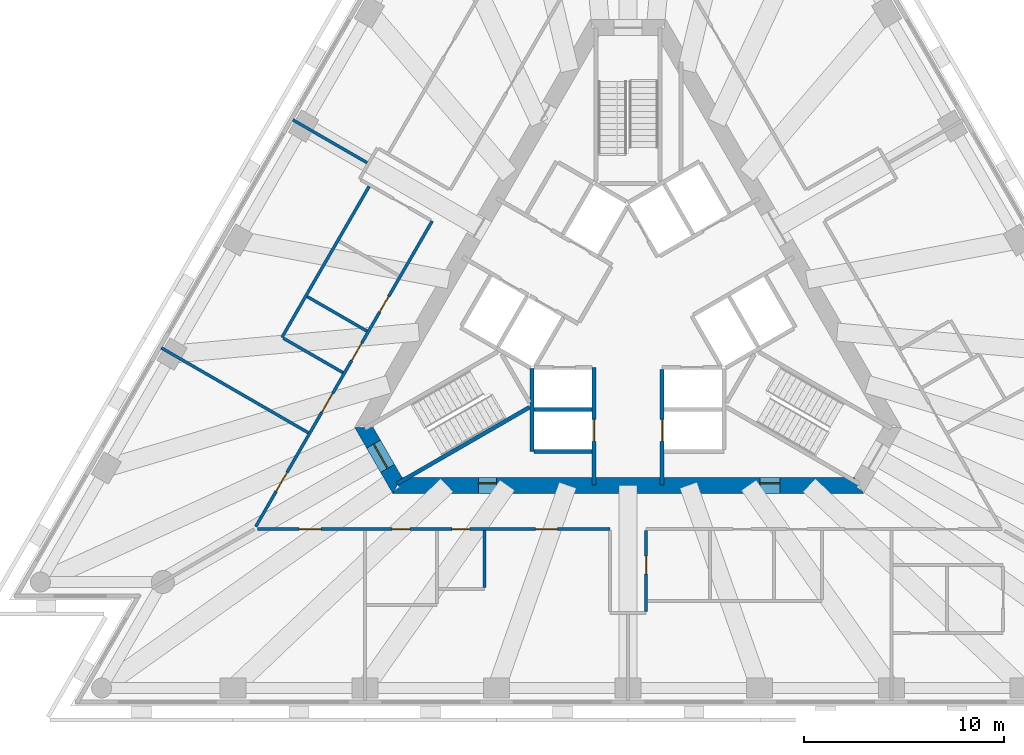
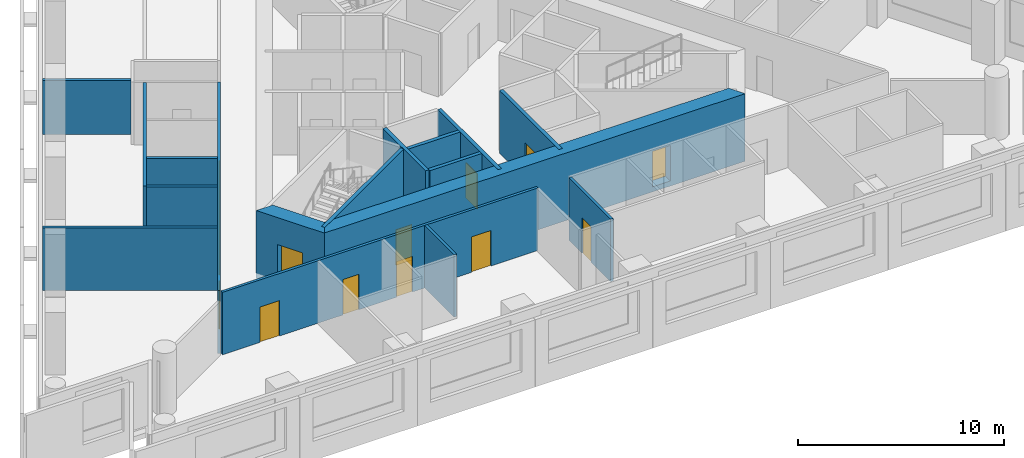
# One storey, part 3 of 10: 17 walls, 14 doors, 14 openings.
"""IFC4 building model written with IfcOpenShell, lengths in metres."""

from ifc_helpers import new_model, si_unit, direction, frame, frame_2d, origin, place, context, subcontext, project, spatial, polyline, rectangle, outline, extrude, material, layer, layer_set, type_object, element, fill, save


model = new_model("IFC4")

# Units and contexts
model_context = context("Model", 3, precision=1e-05, world=origin(), true_north=direction((0.0, 1.0)))
body_context = subcontext(model_context, "Body", "Model", "MODEL_VIEW")
ifc_project = project(units=[si_unit("LENGTHUNIT", "METRE"), si_unit("AREAUNIT", "SQUARE_METRE"), si_unit("VOLUMEUNIT", "CUBIC_METRE"), si_unit("PLANEANGLEUNIT", "RADIAN"), si_unit("MASSUNIT", "GRAM", prefix="KILO")], contexts=[model_context])

# Site, building, storey
site_placement = place(None, origin())
site = spatial("IfcSite", under=ifc_project, at=site_placement, CompositionType="ELEMENT")
building_placement = place(site_placement, origin())
building = spatial("IfcBuilding", under=site, at=building_placement, Name="Triada Interchange Tower", CompositionType="ELEMENT")
storey_placement = place(building_placement, frame((0.0, 0.0, 156.300048828125)))
storey = spatial("IfcBuildingStorey", under=building, at=storey_placement, Name="L36", CompositionType="ELEMENT", Elevation=156.300048828125)

# Walls
ifc_material_1 = material(Name="Concrete C30/37", Category="concrete")
ifc_layer_1 = layer(ifc_material_1, 0.199951171875)
ifc_layer_set_1 = layer_set([ifc_layer_1], Name="CORE WALL 200 EI 120")
wall_type_1 = type_object("IfcWallType", Name="CORE WALL 200 EI 120", PredefinedType="SOLIDWALL", material=ifc_layer_set_1)
wall_1_placement = place(storey_placement, frame((-4.800048828125, -6.89990234375, 0.0), z_axis=(0.0, 0.0, 1.0), x_axis=(0.0, 1.0, 0.0)))
element("IfcWall", 1, at=wall_1_placement, inside=storey, type_object=wall_type_1, Name="Wall L35 53", PredefinedType="SOLIDWALL", context=body_context, shape_type="SweptSolid", body=[
    extrude(rectangle(XDim=4.130859375, YDim=0.199951171875, at=frame_2d((2.0654296875, 0.0))), origin(), (0.0, 0.0, 1.0), 3.699951171875),
])
for number, where, z_axis, x_axis, name in (
    (2, (-4.699951171875, -6.89990234375, 0.0), (0.0, 0.0, 1.0), (1.0, 0.0, 0.0), "Wall L35 54"),
    (3, (-4.699951171875, -4.800048828125, 0.0), (0.0, 0.0, 1.0), (1.0, 0.0, 0.0), "Wall L35 56"),
):
    element("IfcWall", number, at=place(storey_placement, frame(where, z_axis=z_axis, x_axis=x_axis)), inside=storey, type_object=wall_type_1, Name=name, PredefinedType="SOLIDWALL", context=body_context, shape_type="SweptSolid", body=[
        extrude(rectangle(XDim=2.89990234375, YDim=0.199951171875, at=frame_2d((1.449951171875, 0.0))), origin(), (0.0, 0.0, 1.0), 3.699951171875),
    ])

# Wall, opening, door
wall_2_placement = place(storey_placement, frame((-1.699951171875, -8.580078125, 0.0), z_axis=(0.0, 0.0, 1.0), x_axis=(0.0, 1.0, 0.0)))
wall_2 = element("IfcWall", 4, at=wall_2_placement, inside=storey, type_object=wall_type_1, Name="Wall L35 58", PredefinedType="SOLIDWALL", context=body_context, shape_type="SweptSolid", body=[
    extrude(rectangle(XDim=5.877197265625, YDim=0.199951171875, at=frame_2d((2.9384765625, 0.0))), origin(), (0.0, 0.0, 1.0), 3.699951171875),
])
opening_1_placement = place(wall_2_placement, frame((2.179931640625, 0.0, 0.0)))
opening_1 = element("IfcOpeningElement", 5, at=opening_1_placement, cuts=wall_2, Name="Opening LD-LR4", PredefinedType="OPENING", context=body_context, shape_type="SweptSolid", body=[
    extrude(rectangle(XDim=1.10009765625, YDim=2.10009765625, at=frame_2d((0.550048828125, 1.050048828125))), frame((0.0, 0.10986328125, 0.0), z_axis=(0.0, -1.0, 0.0), x_axis=(1.0, 0.0, 0.0)), (0.0, 0.0, 1.0), 0.219970703125),
])
ifc_material_2 = material(Name="Steel S235 door leaf", Category="steel")
door_type_1 = type_object("IfcDoorType", Name="LIFT LANDING DOOR 1100 EI 120", OperationType="SLIDING_TO_LEFT", PredefinedType="DOOR", material=ifc_material_2)
door_1_placement = place(opening_1_placement, origin())
door_1 = element("IfcDoor", 6, at=door_1_placement, inside=storey, type_object=door_type_1, Name="LR4 landing door L36", OperationType="SLIDING_TO_LEFT", OverallHeight=2.10009765625, OverallWidth=1.10009765625, PredefinedType="DOOR", context=body_context, shape_type="SweptSolid", body=[
    extrude(rectangle(XDim=1.10009765625, YDim=2.10009765625, at=frame_2d((0.550048828125, 1.050048828125))), frame((0.0, 0.02490234375, 0.0), z_axis=(0.0, -1.0, 0.0), x_axis=(1.0, 0.0, 0.0)), (0.0, 0.0, 1.0), 0.050048828125),
])
fill(opening_1, door_1)

wall_3_placement = place(storey_placement, frame((1.699951171875, -8.580078125, 0.0), z_axis=(0.0, 0.0, 1.0), x_axis=(0.0, 1.0, 0.0)))
wall_3 = element("IfcWall", 7, at=wall_3_placement, inside=storey, type_object=wall_type_1, Name="Wall L35 65", PredefinedType="SOLIDWALL", context=body_context, shape_type="SweptSolid", body=[
    extrude(rectangle(XDim=5.777099609375, YDim=0.199951171875, at=frame_2d((2.888671875, 0.0))), origin(), (0.0, 0.0, 1.0), 3.699951171875),
])
opening_2_placement = place(wall_3_placement, frame((2.179931640625, 0.0, 0.0)))
opening_2 = element("IfcOpeningElement", 8, at=opening_2_placement, cuts=wall_3, Name="Opening LD-LR2", PredefinedType="OPENING", context=body_context, shape_type="SweptSolid", body=[
    extrude(rectangle(XDim=1.10009765625, YDim=2.10009765625, at=frame_2d((0.550048828125, 1.050048828125))), frame((0.0, 0.10986328125, 0.0), z_axis=(0.0, -1.0, 0.0), x_axis=(1.0, 0.0, 0.0)), (0.0, 0.0, 1.0), 0.219970703125),
])
door_2_placement = place(opening_2_placement, origin())
door_2 = element("IfcDoor", 9, at=door_2_placement, inside=storey, type_object=door_type_1, Name="LR2 landing door L36", OperationType="SLIDING_TO_LEFT", OverallHeight=2.10009765625, OverallWidth=1.10009765625, PredefinedType="DOOR", context=body_context, shape_type="SweptSolid", body=[
    extrude(rectangle(XDim=1.10009765625, YDim=2.10009765625, at=frame_2d((0.550048828125, 1.050048828125))), frame((0.0, 0.02490234375, 0.0), z_axis=(0.0, -1.0, 0.0), x_axis=(1.0, 0.0, 0.0)), (0.0, 0.0, 1.0), 0.050048828125),
])
fill(opening_2, door_2)

# Wall
ifc_layer_2 = layer(ifc_material_1, 0.199951171875)
ifc_layer_set_2 = layer_set([ifc_layer_2], Name="CORE WALL 200 REI 240")
wall_type_2 = type_object("IfcWallType", Name="CORE WALL 200 REI 240", PredefinedType="SOLIDWALL", material=ifc_layer_set_2)
wall_4_placement = place(storey_placement, frame((-11.56689453125, -8.52587890625, 0.0), z_axis=(0.0, 0.0, 1.0), x_axis=(0.866005769735, 0.50003400563, 0.0)))
element("IfcWall", 10, at=wall_4_placement, inside=storey, type_object=wall_type_2, Name="Wall L35 91", PredefinedType="SOLIDWALL", context=body_context, shape_type="SweptSolid", body=[
    extrude(rectangle(XDim=7.6650390625, YDim=0.199951171875, at=frame_2d((3.83251953125, 0.0))), origin(), (0.0, 0.0, 1.0), 3.699951171875),
])

# Wall, opening, door
ifc_material_3 = material(Name="Concrete C60/75", Category="concrete")
ifc_layer_3 = layer(ifc_material_3, 0.800048828125)
ifc_layer_set_3 = layer_set([ifc_layer_3], Name="Core wall B 800")
wall_type_3 = type_object("IfcWallType", Name="Core wall B 800", PredefinedType="SHEAR", material=ifc_layer_set_3)
wall_5_placement = place(storey_placement, frame((-13.220947265625, -5.699951171875, -0.300048828125), z_axis=(0.0, 0.0, 1.0), x_axis=(0.49987182685, -0.866099391942, 0.0)))
wall_5 = element("IfcWall", 11, at=wall_5_placement, inside=storey, type_object=wall_type_3, Name="Core wall WB03 L36", PredefinedType="SHEAR", context=body_context, shape_type="SweptSolid", body=[
    extrude(outline(polyline([(-0.23095703125, -0.39990234375), (1.674072265625, -0.39990234375), (3.5791015625, -0.39990234375), (3.117919921875, 0.39990234375), (1.67431640625, 0.39990234375), (0.23095703125, 0.39990234375), (-0.23095703125, -0.39990234375)])), origin(), (0.0, 0.0, 1.0), 4.0),
])
opening_3_placement = place(wall_5_placement, frame((0.97412109375, 0.0, 0.300048828125)))
opening_3 = element("IfcOpeningElement", 12, at=opening_3_placement, cuts=wall_5, Name="Opening D35-38", PredefinedType="OPENING", context=body_context, shape_type="SweptSolid", body=[
    extrude(rectangle(XDim=1.39990234375, YDim=2.10009765625, at=frame_2d((0.699951171875, 1.050048828125))), frame((0.0, 0.409912109375, 0.0), z_axis=(0.0, -1.0, 0.0), x_axis=(1.0, 0.0, 0.0)), (0.0, 0.0, 1.0), 0.820068359375),
])
door_type_2 = type_object("IfcDoorType", Name="STAIR DOOR 1400 EI2 90-C5S200", OperationType="DOUBLE_DOOR_SINGLE_SWING", PredefinedType="DOOR", material=ifc_material_2)
door_3_placement = place(opening_3_placement, origin())
door_3 = element("IfcDoor", 13, at=door_3_placement, inside=storey, type_object=door_type_2, Name="Door D35-38 L36", OperationType="DOUBLE_DOOR_SINGLE_SWING", OverallHeight=2.10009765625, OverallWidth=1.39990234375, PredefinedType="DOOR", context=body_context, shape_type="SweptSolid", body=[
    extrude(rectangle(XDim=1.39990234375, YDim=2.10009765625, at=frame_2d((0.699951171875, 1.050048828125))), frame((0.0, 0.02490234375, 0.0), z_axis=(0.0, -1.0, 0.0), x_axis=(1.0, 0.0, 0.0)), (0.0, 0.0, 1.0), 0.050048828125),
])
fill(opening_3, door_3)

# Wall, openings, doors
wall_6_placement = place(storey_placement, frame((-11.547119140625, -8.60009765625, -0.300048828125), z_axis=(0.0, 0.0, 1.0), x_axis=(1.0, 0.0, 0.0)))
wall_6 = element("IfcWall", 14, at=wall_6_placement, inside=storey, type_object=wall_type_3, Name="Core wall WB04 L36", PredefinedType="SHEAR", context=body_context, shape_type="SweptSolid", body=[
    extrude(outline(polyline([(-0.23095703125, -0.39990234375), (1.73193359375, -0.39990234375), (3.695068359375, -0.39990234375), (5.657958984375, -0.39990234375), (7.62109375, -0.39990234375), (9.583984375, -0.39990234375), (11.546875, -0.39990234375), (13.510009765625, -0.39990234375), (15.472900390625, -0.39990234375), (17.43603515625, -0.39990234375), (19.39892578125, -0.39990234375), (21.362060546875, -0.39990234375), (23.324951171875, -0.39990234375), (22.863037109375, 0.39990234375), (20.97705078125, 0.39990234375), (19.091064453125, 0.39990234375), (17.205078125, 0.39990234375), (15.319091796875, 0.39990234375), (13.43310546875, 0.39990234375), (11.546875, 0.39990234375), (9.660888671875, 0.39990234375), (7.77490234375, 0.39990234375), (5.888916015625, 0.39990234375), (4.0029296875, 0.39990234375), (2.116943359375, 0.39990234375), (0.23095703125, 0.39990234375), (-0.23095703125, -0.39990234375)])), origin(), (0.0, 0.0, 1.0), 4.0),
])
opening_4_placement = place(wall_6_placement, frame((4.06103515625, 0.0, 0.300048828125)))
opening_4 = element("IfcOpeningElement", 15, at=opening_4_placement, cuts=wall_6, Name="Opening D35-41", PredefinedType="OPENING", context=body_context, shape_type="SweptSolid", body=[
    extrude(rectangle(XDim=0.89990234375, YDim=2.10009765625, at=frame_2d((0.449951171875, 1.050048828125))), frame((0.0, 0.409912109375, 0.0), z_axis=(0.0, -1.0, 0.0), x_axis=(1.0, 0.0, 0.0)), (0.0, 0.0, 1.0), 0.820068359375),
])
opening_5_placement = place(wall_6_placement, frame((18.14306640625, 0.0, 0.300048828125)))
opening_5 = element("IfcOpeningElement", 16, at=opening_5_placement, cuts=wall_6, Name="Opening D35-43", PredefinedType="OPENING", context=body_context, shape_type="SweptSolid", body=[
    extrude(rectangle(XDim=1.0, YDim=2.10009765625, at=frame_2d((0.5, 1.050048828125))), frame((0.0, 0.409912109375, 0.0), z_axis=(0.0, -1.0, 0.0), x_axis=(1.0, 0.0, 0.0)), (0.0, 0.0, 1.0), 0.820068359375),
])
door_type_3 = type_object("IfcDoorType", Name="SERVICE DOOR 1000 EI2 45-C5S200", OperationType="NOTDEFINED", PredefinedType="DOOR", material=ifc_material_2)
door_4_placement = place(opening_5_placement, origin())
door_4 = element("IfcDoor", 17, at=door_4_placement, inside=storey, type_object=door_type_3, Name="Door D35-43 L36", OperationType="SINGLE_SWING_LEFT", OverallHeight=2.10009765625, OverallWidth=1.0, PredefinedType="DOOR", context=body_context, shape_type="SweptSolid", body=[
    extrude(rectangle(XDim=1.0, YDim=2.10009765625, at=frame_2d((0.5, 1.050048828125))), frame((0.0, 0.125, 0.0), z_axis=(0.0, -1.0, 0.0), x_axis=(1.0, 0.0, 0.0)), (0.0, 0.0, 1.0), 0.050048828125),
])
fill(opening_5, door_4)
door_type_4 = type_object("IfcDoorType", Name="SERVICE DOOR 900 EI2 45-C5S200", OperationType="NOTDEFINED", PredefinedType="DOOR", material=ifc_material_2)
door_5_placement = place(opening_4_placement, origin())
door_5 = element("IfcDoor", 18, at=door_5_placement, inside=storey, type_object=door_type_4, Name="Door D35-41 L36", OperationType="SINGLE_SWING_LEFT", OverallHeight=2.10009765625, OverallWidth=0.89990234375, PredefinedType="DOOR", context=body_context, shape_type="SweptSolid", body=[
    extrude(rectangle(XDim=0.89990234375, YDim=2.10009765625, at=frame_2d((0.449951171875, 1.050048828125))), frame((0.0, 0.125, 0.0), z_axis=(0.0, -1.0, 0.0), x_axis=(1.0, 0.0, 0.0)), (0.0, 0.0, 1.0), 0.050048828125),
])
fill(opening_4, door_5)

# Wall
ifc_material_4 = material(Name="Gypsum board partition")
ifc_layer_4 = layer(ifc_material_4, 0.14990234375)
ifc_layer_set_4 = layer_set([ifc_layer_4], Name="PARTITION 150 EI 180")
wall_type_4 = type_object("IfcWallType", Name="PARTITION 150 EI 180", PredefinedType="PARTITIONING", material=ifc_layer_set_4)
wall_7_placement = place(storey_placement, frame((-23.35693359375, -1.72509765625, 0.0), z_axis=(0.0, 0.0, 1.0), x_axis=(0.866045766046, -0.49996472987, 0.0)))
element("IfcWall", 19, at=wall_7_placement, inside=storey, type_object=wall_type_4, Name="Wall L35 3", PredefinedType="PARTITIONING", context=body_context, shape_type="SweptSolid", body=[
    extrude(rectangle(XDim=8.490234375, YDim=0.14990234375, at=frame_2d((4.2451171875, 0.0))), origin(), (0.0, 0.0, 1.0), 3.699951171875),
])

# Wall, openings, doors
wall_8_placement = place(storey_placement, frame((-18.555908203125, -10.800048828125, 0.0), z_axis=(0.0, 0.0, 1.0), x_axis=(1.0, 0.0, 0.0)))
wall_8 = element("IfcWall", 20, at=wall_8_placement, inside=storey, type_object=wall_type_4, Name="Wall L35 4", PredefinedType="PARTITIONING", context=body_context, shape_type="SweptSolid", body=[
    extrude(rectangle(XDim=17.655029296875, YDim=0.14990234375, at=frame_2d((8.82763671875, 0.0))), origin(), (0.0, 0.0, 1.0), 3.699951171875),
])
opening_6_placement = place(wall_8_placement, frame((2.10009765625, 0.0, 0.0)))
opening_6 = element("IfcOpeningElement", 21, at=opening_6_placement, cuts=wall_8, Name="Opening D35-11", PredefinedType="OPENING", context=body_context, shape_type="SweptSolid", body=[
    extrude(rectangle(XDim=1.10009765625, YDim=2.10009765625, at=frame_2d((0.550048828125, 1.050048828125))), frame((0.0, 0.0849609375, 0.0), z_axis=(0.0, -1.0, 0.0), x_axis=(1.0, 0.0, 0.0)), (0.0, 0.0, 1.0), 0.169921875),
])
opening_7_placement = place(wall_8_placement, frame((13.93408203125, 0.0, 0.0)))
opening_7 = element("IfcOpeningElement", 22, at=opening_7_placement, cuts=wall_8, Name="Opening D35-12", PredefinedType="OPENING", context=body_context, shape_type="SweptSolid", body=[
    extrude(rectangle(XDim=1.10009765625, YDim=2.10009765625, at=frame_2d((0.550048828125, 1.050048828125))), frame((0.0, 0.0849609375, 0.0), z_axis=(0.0, -1.0, 0.0), x_axis=(1.0, 0.0, 0.0)), (0.0, 0.0, 1.0), 0.169921875),
])
opening_8_placement = place(wall_8_placement, frame((6.73388671875, 0.0, 0.0)))
opening_8 = element("IfcOpeningElement", 23, at=opening_8_placement, cuts=wall_8, Name="Opening D35-13", PredefinedType="OPENING", context=body_context, shape_type="SweptSolid", body=[
    extrude(rectangle(XDim=0.89990234375, YDim=2.10009765625, at=frame_2d((0.449951171875, 1.050048828125))), frame((0.0, 0.0849609375, 0.0), z_axis=(0.0, -1.0, 0.0), x_axis=(1.0, 0.0, 0.0)), (0.0, 0.0, 1.0), 0.169921875),
])
opening_9_placement = place(wall_8_placement, frame((9.73388671875, 0.0, 0.0)))
opening_9 = element("IfcOpeningElement", 24, at=opening_9_placement, cuts=wall_8, Name="Opening D35-14", PredefinedType="OPENING", context=body_context, shape_type="SweptSolid", body=[
    extrude(rectangle(XDim=0.89990234375, YDim=2.10009765625, at=frame_2d((0.449951171875, 1.050048828125))), frame((0.0, 0.0849609375, 0.0), z_axis=(0.0, -1.0, 0.0), x_axis=(1.0, 0.0, 0.0)), (0.0, 0.0, 1.0), 0.169921875),
])
door_type_5 = type_object("IfcDoorType", Name="ROOM DOOR 900 EI2 90-C5S200", OperationType="NOTDEFINED", PredefinedType="DOOR", material=ifc_material_2)
door_6_placement = place(opening_8_placement, origin())
door_6 = element("IfcDoor", 25, at=door_6_placement, inside=storey, type_object=door_type_5, Name="Door D35-13 L36", OperationType="SINGLE_SWING_RIGHT", OverallHeight=2.10009765625, OverallWidth=0.89990234375, PredefinedType="DOOR", context=body_context, shape_type="SweptSolid", body=[
    extrude(rectangle(XDim=0.89990234375, YDim=2.10009765625, at=frame_2d((0.449951171875, 1.050048828125))), frame((0.0, 0.02490234375, 0.0), z_axis=(0.0, -1.0, 0.0), x_axis=(1.0, 0.0, 0.0)), (0.0, 0.0, 1.0), 0.050048828125),
])
fill(opening_8, door_6)
door_7_placement = place(opening_9_placement, origin())
door_7 = element("IfcDoor", 26, at=door_7_placement, inside=storey, type_object=door_type_5, Name="Door D35-14 L36", OperationType="SINGLE_SWING_RIGHT", OverallHeight=2.10009765625, OverallWidth=0.89990234375, PredefinedType="DOOR", context=body_context, shape_type="SweptSolid", body=[
    extrude(rectangle(XDim=0.89990234375, YDim=2.10009765625, at=frame_2d((0.449951171875, 1.050048828125))), frame((0.0, 0.02490234375, 0.0), z_axis=(0.0, -1.0, 0.0), x_axis=(1.0, 0.0, 0.0)), (0.0, 0.0, 1.0), 0.050048828125),
])
fill(opening_9, door_7)
door_type_6 = type_object("IfcDoorType", Name="TENANCY ENTRANCE DOOR 1100 EI2 90-C5S200", OperationType="NOTDEFINED", PredefinedType="DOOR", material=ifc_material_2)
door_8_placement = place(opening_6_placement, origin())
door_8 = element("IfcDoor", 27, at=door_8_placement, inside=storey, type_object=door_type_6, Name="Door D35-11 L36", OperationType="SINGLE_SWING_RIGHT", OverallHeight=2.10009765625, OverallWidth=1.10009765625, PredefinedType="DOOR", context=body_context, shape_type="SweptSolid", body=[
    extrude(rectangle(XDim=1.10009765625, YDim=2.10009765625, at=frame_2d((0.550048828125, 1.050048828125))), frame((0.0, 0.02490234375, 0.0), z_axis=(0.0, -1.0, 0.0), x_axis=(1.0, 0.0, 0.0)), (0.0, 0.0, 1.0), 0.050048828125),
])
fill(opening_6, door_8)
door_9_placement = place(opening_7_placement, origin())
door_9 = element("IfcDoor", 28, at=door_9_placement, inside=storey, type_object=door_type_6, Name="Door D35-12 L36", OperationType="SINGLE_SWING_LEFT", OverallHeight=2.10009765625, OverallWidth=1.10009765625, PredefinedType="DOOR", context=body_context, shape_type="SweptSolid", body=[
    extrude(rectangle(XDim=1.10009765625, YDim=2.10009765625, at=frame_2d((0.550048828125, 1.050048828125))), frame((0.0, 0.02490234375, 0.0), z_axis=(0.0, -1.0, 0.0), x_axis=(1.0, 0.0, 0.0)), (0.0, 0.0, 1.0), 0.050048828125),
])
fill(opening_7, door_9)

wall_9_placement = place(storey_placement, frame((-18.631103515625, -10.669921875, 0.0), z_axis=(0.0, 0.0, 1.0), x_axis=(0.500017706633, 0.866015180614, 0.0)))
wall_9 = element("IfcWall", 29, at=wall_9_placement, inside=storey, type_object=wall_type_4, Name="Wall L35 6", PredefinedType="PARTITIONING", context=body_context, shape_type="SweptSolid", body=[
    extrude(rectangle(XDim=17.655517578125, YDim=0.14990234375, at=frame_2d((8.82763671875, 0.0))), origin(), (0.0, 0.0, 1.0), 3.699951171875),
])
opening_10_placement = place(wall_9_placement, frame((6.60595703125, 0.0, 0.0)))
opening_10 = element("IfcOpeningElement", 30, at=opening_10_placement, cuts=wall_9, Name="Opening D35-31", PredefinedType="OPENING", context=body_context, shape_type="SweptSolid", body=[
    extrude(rectangle(XDim=1.10009765625, YDim=2.10009765625, at=frame_2d((0.550048828125, 1.050048828125))), frame((0.0, 0.0849609375, 0.0), z_axis=(0.0, -1.0, 0.0), x_axis=(1.0, 0.0, 0.0)), (0.0, 0.0, 1.0), 0.169921875),
])
opening_11_placement = place(wall_9_placement, frame((12.406005859375, 0.0, 0.0)))
opening_11 = element("IfcOpeningElement", 31, at=opening_11_placement, cuts=wall_9, Name="Opening D35-33", PredefinedType="OPENING", context=body_context, shape_type="SweptSolid", body=[
    extrude(rectangle(XDim=0.89990234375, YDim=2.10009765625, at=frame_2d((0.449951171875, 1.050048828125))), frame((0.0, 0.0849609375, 0.0), z_axis=(0.0, -1.0, 0.0), x_axis=(1.0, 0.0, 0.0)), (0.0, 0.0, 1.0), 0.169921875),
])
opening_12_placement = place(wall_9_placement, frame((9.60595703125, 0.0, 0.0)))
opening_12 = element("IfcOpeningElement", 32, at=opening_12_placement, cuts=wall_9, Name="Opening D35-34", PredefinedType="OPENING", context=body_context, shape_type="SweptSolid", body=[
    extrude(rectangle(XDim=1.0, YDim=2.10009765625, at=frame_2d((0.5, 1.050048828125))), frame((0.0, 0.0849609375, 0.0), z_axis=(0.0, -1.0, 0.0), x_axis=(1.0, 0.0, 0.0)), (0.0, 0.0, 1.0), 0.169921875),
])
opening_13_placement = place(wall_9_placement, frame((2.033935546875, 0.0, 0.0)))
opening_13 = element("IfcOpeningElement", 33, at=opening_13_placement, cuts=wall_9, Name="Opening D35-35", PredefinedType="OPENING", context=body_context, shape_type="SweptSolid", body=[
    extrude(rectangle(XDim=1.10009765625, YDim=2.10009765625, at=frame_2d((0.550048828125, 1.050048828125))), frame((0.0, 0.0849609375, 0.0), z_axis=(0.0, -1.0, 0.0), x_axis=(1.0, 0.0, 0.0)), (0.0, 0.0, 1.0), 0.169921875),
])
door_type_7 = type_object("IfcDoorType", Name="ROOM DOOR 1000 EI2 90-C5S200", OperationType="NOTDEFINED", PredefinedType="DOOR", material=ifc_material_2)
door_10_placement = place(opening_12_placement, origin())
door_10 = element("IfcDoor", 34, at=door_10_placement, inside=storey, type_object=door_type_7, Name="Door D35-34 L36", OperationType="SINGLE_SWING_LEFT", OverallHeight=2.10009765625, OverallWidth=1.0, PredefinedType="DOOR", context=body_context, shape_type="SweptSolid", body=[
    extrude(rectangle(XDim=1.0, YDim=2.10009765625, at=frame_2d((0.5, 1.050048828125))), frame((0.0, 0.02490234375, 0.0), z_axis=(0.0, -1.0, 0.0), x_axis=(1.0, 0.0, 0.0)), (0.0, 0.0, 1.0), 0.050048828125),
])
fill(opening_12, door_10)
door_11_placement = place(opening_11_placement, origin())
door_11 = element("IfcDoor", 35, at=door_11_placement, inside=storey, type_object=door_type_5, Name="Door D35-33 L36", OperationType="SINGLE_SWING_RIGHT", OverallHeight=2.10009765625, OverallWidth=0.89990234375, PredefinedType="DOOR", context=body_context, shape_type="SweptSolid", body=[
    extrude(rectangle(XDim=0.89990234375, YDim=2.10009765625, at=frame_2d((0.449951171875, 1.050048828125))), frame((0.0, 0.02490234375, 0.0), z_axis=(0.0, -1.0, 0.0), x_axis=(1.0, 0.0, 0.0)), (0.0, 0.0, 1.0), 0.050048828125),
])
fill(opening_11, door_11)
door_12_placement = place(opening_10_placement, origin())
door_12 = element("IfcDoor", 36, at=door_12_placement, inside=storey, type_object=door_type_6, Name="Door D35-31 L36", OperationType="SINGLE_SWING_LEFT", OverallHeight=2.10009765625, OverallWidth=1.10009765625, PredefinedType="DOOR", context=body_context, shape_type="SweptSolid", body=[
    extrude(rectangle(XDim=1.10009765625, YDim=2.10009765625, at=frame_2d((0.550048828125, 1.050048828125))), frame((0.0, 0.02490234375, 0.0), z_axis=(0.0, -1.0, 0.0), x_axis=(1.0, 0.0, 0.0)), (0.0, 0.0, 1.0), 0.050048828125),
])
fill(opening_10, door_12)
door_13_placement = place(opening_13_placement, origin())
door_13 = element("IfcDoor", 37, at=door_13_placement, inside=storey, type_object=door_type_6, Name="Door D35-35 L36", OperationType="SINGLE_SWING_LEFT", OverallHeight=2.10009765625, OverallWidth=1.10009765625, PredefinedType="DOOR", context=body_context, shape_type="SweptSolid", body=[
    extrude(rectangle(XDim=1.10009765625, YDim=2.10009765625, at=frame_2d((0.550048828125, 1.050048828125))), frame((0.0, 0.02490234375, 0.0), z_axis=(0.0, -1.0, 0.0), x_axis=(1.0, 0.0, 0.0)), (0.0, 0.0, 1.0), 0.050048828125),
])
fill(opening_13, door_13)

# Walls
wall_10_placement = place(storey_placement, frame((-16.77099609375, 9.68310546875, 0.0), z_axis=(0.0, 0.0, 1.0), x_axis=(0.866070942811, -0.499921115796, 0.0)))
element("IfcWall", 38, at=wall_10_placement, inside=storey, type_object=wall_type_4, Name="Wall L35 8", PredefinedType="PARTITIONING", context=body_context, shape_type="SweptSolid", body=[
    extrude(rectangle(XDim=4.290771484375, YDim=0.14990234375, at=frame_2d((2.1455078125, 0.0))), origin(), (0.0, 0.0, 1.0), 3.199951171875),
])
wall_11_placement = place(storey_placement, frame((-17.321044921875, -1.199951171875, 0.0), z_axis=(0.0, 0.0, 1.0), x_axis=(0.500054279689, 0.865994063124, 0.0)))
element("IfcWall", 39, at=wall_11_placement, inside=storey, type_object=wall_type_4, Name="Wall L35 10", PredefinedType="PARTITIONING", context=body_context, shape_type="SweptSolid", body=[
    extrude(rectangle(XDim=8.72509765625, YDim=0.14990234375, at=frame_2d((4.362548828125, 0.0))), origin(), (0.0, 0.0, 1.0), 3.699951171875),
])
wall_12_placement = place(storey_placement, frame((-17.256103515625, -1.238037109375, 0.0), z_axis=(0.0, 0.0, 1.0), x_axis=(0.866061862632, -0.499936846106, 0.0)))
element("IfcWall", 40, at=wall_12_placement, inside=storey, type_object=wall_type_4, Name="Wall L35 11", PredefinedType="PARTITIONING", context=body_context, shape_type="SweptSolid", body=[
    extrude(rectangle(XDim=3.4501953125, YDim=0.14990234375, at=frame_2d((1.72509765625, 0.0))), origin(), (0.0, 0.0, 1.0), 3.699951171875),
])
wall_13_placement = place(storey_placement, frame((-16.055908203125, 0.841064453125, 0.0), z_axis=(0.0, 0.0, 1.0), x_axis=(0.866013532718, -0.500020560727, 0.0)))
element("IfcWall", 41, at=wall_13_placement, inside=storey, type_object=wall_type_4, Name="Wall L35 12", PredefinedType="PARTITIONING", context=body_context, shape_type="SweptSolid", body=[
    extrude(rectangle(XDim=3.449951171875, YDim=0.14990234375, at=frame_2d((1.72509765625, 0.0))), origin(), (0.0, 0.0, 1.0), 3.699951171875),
])
wall_14_placement = place(storey_placement, frame((-7.172119140625, -13.72509765625, 0.0), z_axis=(0.0, 0.0, 1.0), x_axis=(0.0, 1.0, 0.0)))
element("IfcWall", 42, at=wall_14_placement, inside=storey, type_object=wall_type_4, Name="Wall L35 22", PredefinedType="PARTITIONING", context=body_context, shape_type="SweptSolid", body=[
    extrude(rectangle(XDim=2.85009765625, YDim=0.14990234375, at=frame_2d((1.425048828125, 0.0))), origin(), (0.0, 0.0, 1.0), 3.699951171875),
])

# Wall, opening, door
wall_15_placement = place(storey_placement, frame((0.89990234375, -14.925048828125, 0.0), z_axis=(0.0, 0.0, 1.0), x_axis=(0.0, 1.0, 0.0)))
wall_15 = element("IfcWall", 43, at=wall_15_placement, inside=storey, type_object=wall_type_4, Name="Wall L35 27", PredefinedType="PARTITIONING", context=body_context, shape_type="SweptSolid", body=[
    extrude(rectangle(XDim=4.049072265625, YDim=0.14990234375, at=frame_2d((2.0244140625, 0.0))), origin(), (0.0, 0.0, 1.0), 3.699951171875),
])
opening_14_placement = place(wall_15_placement, frame((1.875, 0.0, 0.0)))
opening_14 = element("IfcOpeningElement", 44, at=opening_14_placement, cuts=wall_15, Name="Opening D35-16", PredefinedType="OPENING", context=body_context, shape_type="SweptSolid", body=[
    extrude(rectangle(XDim=0.89990234375, YDim=2.10009765625, at=frame_2d((0.449951171875, 1.050048828125))), frame((0.0, 0.0849609375, 0.0), z_axis=(0.0, -1.0, 0.0), x_axis=(1.0, 0.0, 0.0)), (0.0, 0.0, 1.0), 0.169921875),
])
door_14_placement = place(opening_14_placement, origin())
door_14 = element("IfcDoor", 45, at=door_14_placement, inside=storey, type_object=door_type_5, Name="Door D35-16 L36", OperationType="SINGLE_SWING_LEFT", OverallHeight=2.10009765625, OverallWidth=0.89990234375, PredefinedType="DOOR", context=body_context, shape_type="SweptSolid", body=[
    extrude(rectangle(XDim=0.89990234375, YDim=2.10009765625, at=frame_2d((0.449951171875, 1.050048828125))), frame((0.0, 0.02490234375, 0.0), z_axis=(0.0, -1.0, 0.0), x_axis=(1.0, 0.0, 0.0)), (0.0, 0.0, 1.0), 0.050048828125),
])
fill(opening_14, door_14)

save(model, "model.ifc")
